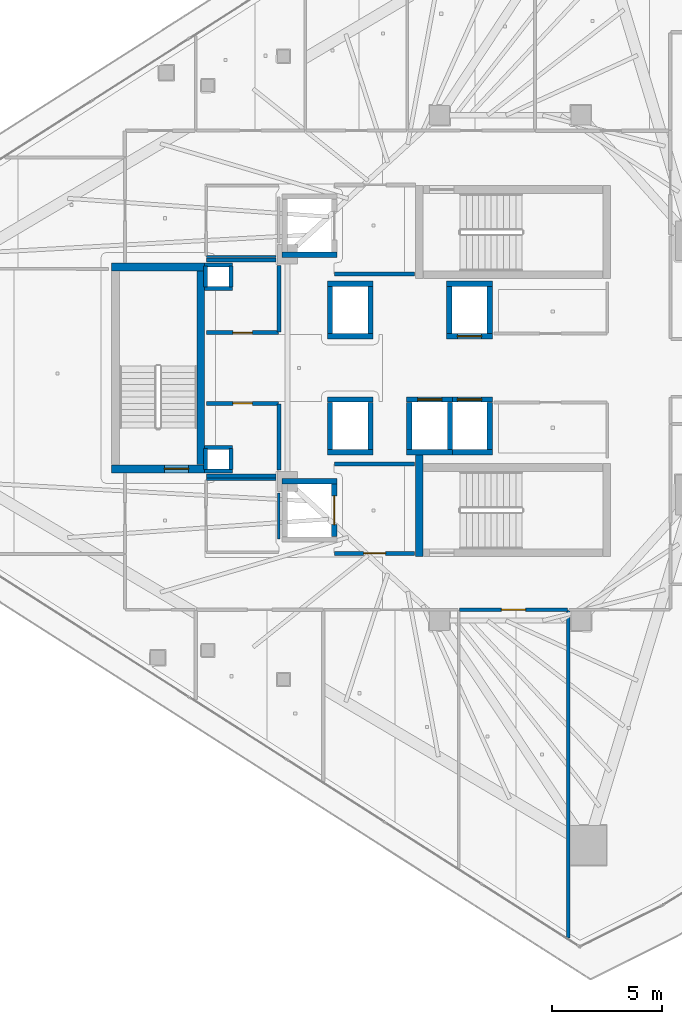
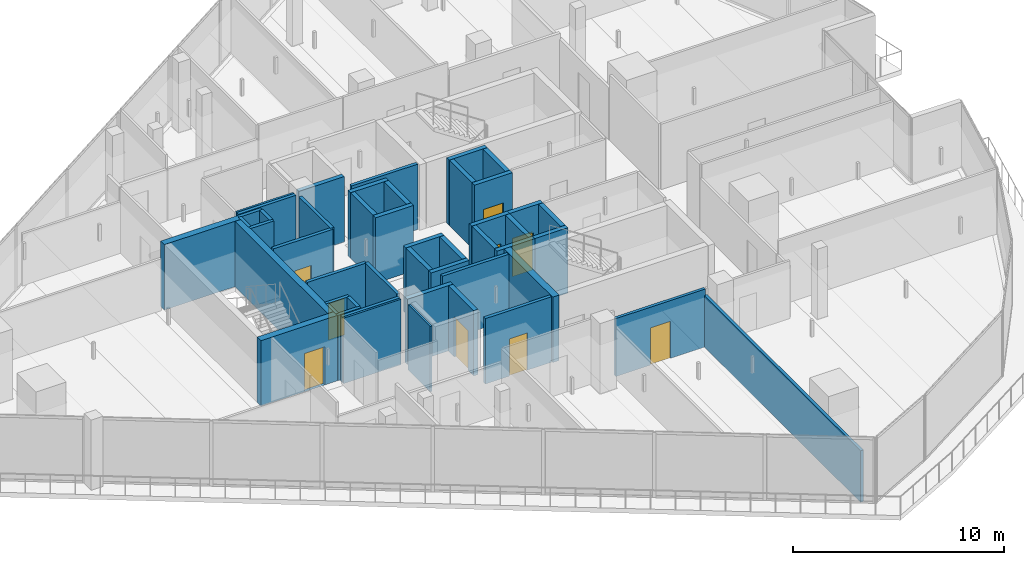
# One storey, part 23 of 33: 48 walls, 9 doors, 9 openings.
"""IFC4 building model written with IfcOpenShell, lengths in metres."""

from ifc_helpers import new_model, si_unit, direction, frame, frame_2d, origin, place, context, subcontext, project, spatial, rectangle, extrude, material, layer, layer_set, type_object, element, fill, save


model = new_model("IFC4")

# Units and contexts
model_context = context("Model", 3, precision=1e-05, world=origin(), true_north=direction((0.0, 1.0)))
body_context = subcontext(model_context, "Body", "Model", "MODEL_VIEW")
ifc_project = project(units=[si_unit("LENGTHUNIT", "METRE"), si_unit("AREAUNIT", "SQUARE_METRE"), si_unit("VOLUMEUNIT", "CUBIC_METRE"), si_unit("PLANEANGLEUNIT", "RADIAN"), si_unit("MASSUNIT", "GRAM", prefix="KILO")], contexts=[model_context])

# Site, building, storey
site_placement = place(None, origin())
site = spatial("IfcSite", under=ifc_project, at=site_placement, CompositionType="ELEMENT")
building_placement = place(site_placement, origin())
building = spatial("IfcBuilding", under=site, at=building_placement, Name="Qorvath Tower", CompositionType="ELEMENT")
storey_placement = place(building_placement, frame((0.0, 0.0, 237.449951171875)))
storey = spatial("IfcBuildingStorey", under=building, at=storey_placement, Name="L55", CompositionType="ELEMENT", Elevation=237.449951171875)

# Walls
ifc_material_1 = material(Name="Gypsum shaftliner on steel studs", Category="steel")
ifc_layer_1 = layer(ifc_material_1, 0.179931640625)
ifc_layer_set_1 = layer_set([ifc_layer_1], Name="FW-LOBBY")
wall_type_1 = type_object("IfcWallType", Name="FW-LOBBY", PredefinedType="PARTITIONING", material=ifc_layer_set_1)
for number, where, z_axis, x_axis, name in (
    (1, (-32.989990234375, 3.594970703125, 0.0), (0.0, 0.0, 1.0), (-1.0, 0.0, 0.0), "MEP Riser Shaft Enclosure Wall N-L55-S"),
    (2, (-34.260009765625, 4.675048828125, 0.0), (0.0, 0.0, 1.0), (1.0, 0.0, 0.0), "MEP Riser Shaft Enclosure Wall N-L55-N"),
):
    element("IfcWall", number, at=place(storey_placement, frame(where, z_axis=z_axis, x_axis=x_axis)), inside=storey, type_object=wall_type_1, Name=name, PredefinedType="PARTITIONING", context=body_context, shape_type="SweptSolid", body=[
        extrude(rectangle(XDim=1.27001953125, YDim=0.179931640625, at=frame_2d((0.635009765625, 0.0))), origin(), (0.0, 0.0, 1.0), 3.780029296875),
    ])
for number, where, z_axis, x_axis, name in (
    (3, (-34.205078125, 3.659912109375, 0.0), (0.0, 0.0, 1.0), (0.0, 1.0, 0.0), "MEP Riser Shaft Enclosure Wall N-L55-W"),
    (4, (-33.044921875, 4.610107421875, 0.0), (0.0, 0.0, 1.0), (0.0, -1.0, 0.0), "MEP Riser Shaft Enclosure Wall N-L55-E"),
):
    element("IfcWall", number, at=place(storey_placement, frame(where, z_axis=z_axis, x_axis=x_axis)), inside=storey, type_object=wall_type_1, Name=name, PredefinedType="PARTITIONING", context=body_context, shape_type="SweptSolid", body=[
        extrude(rectangle(XDim=0.9501953125, YDim=0.179931640625, at=frame_2d((0.47509765625, 0.0))), origin(), (0.0, 0.0, 1.0), 3.780029296875),
    ])
for number, where, z_axis, x_axis, name in (
    (5, (-32.989990234375, -4.675048828125, 0.0), (0.0, 0.0, 1.0), (-1.0, 0.0, 0.0), "MEP Riser Shaft Enclosure Wall S-L55-S"),
    (6, (-34.260009765625, -3.594970703125, 0.0), (0.0, 0.0, 1.0), (1.0, 0.0, 0.0), "MEP Riser Shaft Enclosure Wall S-L55-N"),
):
    element("IfcWall", number, at=place(storey_placement, frame(where, z_axis=z_axis, x_axis=x_axis)), inside=storey, type_object=wall_type_1, Name=name, PredefinedType="PARTITIONING", context=body_context, shape_type="SweptSolid", body=[
        extrude(rectangle(XDim=1.27001953125, YDim=0.179931640625, at=frame_2d((0.635009765625, 0.0))), origin(), (0.0, 0.0, 1.0), 3.780029296875),
    ])
for number, where, z_axis, x_axis, name in (
    (7, (-34.205078125, -4.610107421875, 0.0), (0.0, 0.0, 1.0), (0.0, 1.0, 0.0), "MEP Riser Shaft Enclosure Wall S-L55-W"),
    (8, (-33.044921875, -3.659912109375, 0.0), (0.0, 0.0, 1.0), (0.0, -1.0, 0.0), "MEP Riser Shaft Enclosure Wall S-L55-E"),
):
    element("IfcWall", number, at=place(storey_placement, frame(where, z_axis=z_axis, x_axis=x_axis)), inside=storey, type_object=wall_type_1, Name=name, PredefinedType="PARTITIONING", context=body_context, shape_type="SweptSolid", body=[
        extrude(rectangle(XDim=0.9501953125, YDim=0.179931640625, at=frame_2d((0.47509765625, 0.0))), origin(), (0.0, 0.0, 1.0), 3.780029296875),
    ])
wall_1_placement = place(storey_placement, frame((-28.35498046875, 4.25, 0.0), z_axis=(0.0, 0.0, 1.0), x_axis=(1.0, 0.0, 0.0)))
element("IfcWall", 9, at=wall_1_placement, inside=storey, type_object=wall_type_1, Name="Interior Partition IW-T1-L55-001", PredefinedType="PARTITIONING", context=body_context, shape_type="SweptSolid", body=[
    extrude(rectangle(XDim=3.6220703125, YDim=0.179931640625, at=frame_2d((1.81103515625, 0.0))), origin(), (0.0, 0.0, 1.0), 3.780029296875),
])

# Wall, opening, door
wall_2_placement = place(storey_placement, frame((-28.35498046875, -8.39990234375, 0.0), z_axis=(0.0, 0.0, 1.0), x_axis=(1.0, 0.0, 0.0)))
wall_2 = element("IfcWall", 10, at=wall_2_placement, inside=storey, type_object=wall_type_1, Name="Interior Partition IW-T1-L55-003", PredefinedType="PARTITIONING", context=body_context, shape_type="SweptSolid", body=[
    extrude(rectangle(XDim=3.6220703125, YDim=0.179931640625, at=frame_2d((1.81103515625, 0.0))), origin(), (0.0, 0.0, 1.0), 3.780029296875),
])
opening_1_placement = place(wall_2_placement, frame((1.31103515625, 0.0, 0.0)))
opening_1 = element("IfcOpeningElement", 11, at=opening_1_placement, cuts=wall_2, Name="Opening D-T1-L55-23", PredefinedType="OPENING", context=body_context, shape_type="SweptSolid", body=[
    extrude(rectangle(XDim=1.0, YDim=2.14990234375, at=frame_2d((0.5, 1.074951171875))), frame((0.0, 0.10009765625, 0.0), z_axis=(0.0, -1.0, 0.0), x_axis=(1.0, 0.0, 0.0)), (0.0, 0.0, 1.0), 0.199951171875),
])
ifc_material_2 = material(Name="Painted galvanised hollow metal", Category="steel")
door_type_1 = type_object("IfcDoorType", Name="FD-60", OperationType="NOTDEFINED", PredefinedType="DOOR", material=ifc_material_2)
door_1_placement = place(opening_1_placement, origin())
door_1 = element("IfcDoor", 12, at=door_1_placement, inside=storey, type_object=door_type_1, Name="Lobby Fire Service Elevator South Door D-T1-L55-23", OperationType="SINGLE_SWING_RIGHT", OverallHeight=2.14990234375, OverallWidth=1.0, PredefinedType="DOOR", context=body_context, shape_type="SweptSolid", body=[
    extrude(rectangle(XDim=1.0, YDim=2.14990234375, at=frame_2d((0.5, 1.074951171875))), frame((0.0, 0.02490234375, 0.0), z_axis=(0.0, -1.0, 0.0), x_axis=(1.0, 0.0, 0.0)), (0.0, 0.0, 1.0), 0.050048828125),
])
fill(opening_1, door_1)

# Wall
wall_3_placement = place(storey_placement, frame((-24.73291015625, -4.35009765625, 0.0), z_axis=(0.0, 0.0, 1.0), x_axis=(-1.0, 0.0, 0.0)))
element("IfcWall", 13, at=wall_3_placement, inside=storey, type_object=wall_type_1, Name="Interior Partition IW-T1-L55-004", PredefinedType="PARTITIONING", context=body_context, shape_type="SweptSolid", body=[
    extrude(rectangle(XDim=3.6220703125, YDim=0.179931640625, at=frame_2d((1.81103515625, 0.0))), origin(), (0.0, 0.0, 1.0), 3.780029296875),
])

# Wall, opening, door
wall_4_placement = place(storey_placement, frame((-34.15478515625, 1.60009765625, 0.0), z_axis=(0.0, 0.0, 1.0), x_axis=(1.0, 0.0, 0.0)))
wall_4 = element("IfcWall", 14, at=wall_4_placement, inside=storey, type_object=wall_type_1, Name="Interior Partition IW-T1-L55-017", PredefinedType="PARTITIONING", context=body_context, shape_type="SweptSolid", body=[
    extrude(rectangle(XDim=3.25, YDim=0.179931640625, at=frame_2d((1.625, 0.0))), origin(), (0.0, 0.0, 1.0), 3.780029296875),
])
opening_2_placement = place(wall_4_placement, frame((1.18505859375, 0.0, 0.0)))
opening_2 = element("IfcOpeningElement", 15, at=opening_2_placement, cuts=wall_4, Name="Opening D-T1-L55-05", PredefinedType="OPENING", context=body_context, shape_type="SweptSolid", body=[
    extrude(rectangle(XDim=0.8798828125, YDim=2.10009765625, at=frame_2d((0.43994140625, 1.050048828125))), frame((0.0, 0.10009765625, 0.0), z_axis=(0.0, -1.0, 0.0), x_axis=(1.0, 0.0, 0.0)), (0.0, 0.0, 1.0), 0.199951171875),
])
ifc_material_3 = material(Name="Painted galvanised hollow metal", Category="steel")
door_type_2 = type_object("IfcDoorType", Name="FD-60N", OperationType="NOTDEFINED", PredefinedType="DOOR", material=ifc_material_3)
door_2_placement = place(opening_2_placement, origin())
door_2 = element("IfcDoor", 16, at=door_2_placement, inside=storey, type_object=door_type_2, Name="Core cleaner and custodial room L55 Door D-T1-L55-05", OperationType="SINGLE_SWING_RIGHT", OverallHeight=2.10009765625, OverallWidth=0.8798828125, PredefinedType="DOOR", context=body_context, shape_type="SweptSolid", body=[
    extrude(rectangle(XDim=0.8798828125, YDim=2.10009765625, at=frame_2d((0.43994140625, 1.050048828125))), frame((0.0, 0.02490234375, 0.0), z_axis=(0.0, -1.0, 0.0), x_axis=(1.0, 0.0, 0.0)), (0.0, 0.0, 1.0), 0.050048828125),
])
fill(opening_2, door_2)

# Walls
wall_5_placement = place(storey_placement, frame((-30.8798828125, 1.625, 0.0), z_axis=(0.0, 0.0, 1.0), x_axis=(0.0, 1.0, 0.0)))
element("IfcWall", 17, at=wall_5_placement, inside=storey, type_object=wall_type_1, Name="Interior Partition IW-T1-L55-018", PredefinedType="PARTITIONING", context=body_context, shape_type="SweptSolid", body=[
    extrude(rectangle(XDim=3.010009765625, YDim=0.179931640625, at=frame_2d((1.5048828125, 0.0))), origin(), (0.0, 0.0, 1.0), 3.780029296875),
])
for number, where, z_axis, x_axis, name in (
    (18, (-31.014892578125, 4.89990234375, 0.0), (0.0, 0.0, 1.0), (-1.0, 0.0, 0.0), "Interior Partition IW-T1-L55-019"),
    (19, (-34.15478515625, -4.89990234375, 0.0), (0.0, 0.0, 1.0), (1.0, 0.0, 0.0), "Interior Partition IW-T1-L55-020"),
):
    element("IfcWall", number, at=place(storey_placement, frame(where, z_axis=z_axis, x_axis=x_axis)), inside=storey, type_object=wall_type_1, Name=name, PredefinedType="PARTITIONING", context=body_context, shape_type="SweptSolid", body=[
        extrude(rectangle(XDim=3.139892578125, YDim=0.179931640625, at=frame_2d((1.56982421875, 0.0))), origin(), (0.0, 0.0, 1.0), 3.780029296875),
    ])
wall_6_placement = place(storey_placement, frame((-30.8798828125, -4.635009765625, 0.0), z_axis=(0.0, 0.0, 1.0), x_axis=(0.0, 1.0, 0.0)))
element("IfcWall", 20, at=wall_6_placement, inside=storey, type_object=wall_type_1, Name="Interior Partition IW-T1-L55-021", PredefinedType="PARTITIONING", context=body_context, shape_type="SweptSolid", body=[
    extrude(rectangle(XDim=3.010009765625, YDim=0.179931640625, at=frame_2d((1.5048828125, 0.0))), origin(), (0.0, 0.0, 1.0), 3.780029296875),
])

# Wall, opening, door
wall_7_placement = place(storey_placement, frame((-30.90478515625, -1.60009765625, 0.0), z_axis=(0.0, 0.0, 1.0), x_axis=(-1.0, 0.0, 0.0)))
wall_7 = element("IfcWall", 21, at=wall_7_placement, inside=storey, type_object=wall_type_1, Name="Interior Partition IW-T1-L55-022", PredefinedType="PARTITIONING", context=body_context, shape_type="SweptSolid", body=[
    extrude(rectangle(XDim=3.25, YDim=0.179931640625, at=frame_2d((1.625, 0.0))), origin(), (0.0, 0.0, 1.0), 3.780029296875),
])
opening_3_placement = place(wall_7_placement, frame((1.18505859375, 0.0, 0.0)))
opening_3 = element("IfcOpeningElement", 22, at=opening_3_placement, cuts=wall_7, Name="Opening D-T1-L55-06", PredefinedType="OPENING", context=body_context, shape_type="SweptSolid", body=[
    extrude(rectangle(XDim=0.8798828125, YDim=2.10009765625, at=frame_2d((0.43994140625, 1.050048828125))), frame((0.0, 0.10009765625, 0.0), z_axis=(0.0, -1.0, 0.0), x_axis=(1.0, 0.0, 0.0)), (0.0, 0.0, 1.0), 0.199951171875),
])
door_3_placement = place(opening_3_placement, origin())
door_3 = element("IfcDoor", 23, at=door_3_placement, inside=storey, type_object=door_type_2, Name="Core electrical room L55 Door D-T1-L55-06", OperationType="SINGLE_SWING_LEFT", OverallHeight=2.10009765625, OverallWidth=0.8798828125, PredefinedType="DOOR", context=body_context, shape_type="SweptSolid", body=[
    extrude(rectangle(XDim=0.8798828125, YDim=2.10009765625, at=frame_2d((0.43994140625, 1.050048828125))), frame((0.0, 0.02490234375, 0.0), z_axis=(0.0, -1.0, 0.0), x_axis=(1.0, 0.0, 0.0)), (0.0, 0.0, 1.0), 0.050048828125),
])
fill(opening_3, door_3)

ifc_material_4 = material(Name="Double acoustic gypsum board on steel studs", Category="steel")
ifc_layer_2 = layer(ifc_material_4, 0.159912109375)
ifc_layer_set_2 = layer_set([ifc_layer_2], Name="IW-ACOUSTIC-160")
wall_type_2 = type_object("IfcWallType", Name="IW-ACOUSTIC-160", PredefinedType="PARTITIONING", material=ifc_layer_set_2)
wall_8_placement = place(storey_placement, frame((-17.79541015625, -10.9580078125, 0.0), z_axis=(0.0, 0.0, 1.0), x_axis=(-1.0, 0.0, 0.0)))
wall_8 = element("IfcWall", 24, at=wall_8_placement, inside=storey, type_object=wall_type_2, Name="Interior Partition IW-T1-L55-038", PredefinedType="PARTITIONING", context=body_context, shape_type="SweptSolid", body=[
    extrude(rectangle(XDim=4.904541015625, YDim=0.159912109375, at=frame_2d((2.4521484375, 0.0))), origin(), (0.0, 0.0, 1.0), 3.34423828125),
])
opening_4_placement = place(wall_8_placement, frame((1.90234375, 0.0, 0.0)))
opening_4 = element("IfcOpeningElement", 25, at=opening_4_placement, cuts=wall_8, Name="Opening D-T1-L55-13", PredefinedType="OPENING", context=body_context, shape_type="SweptSolid", body=[
    extrude(rectangle(XDim=1.10009765625, YDim=2.14990234375, at=frame_2d((0.550048828125, 1.074951171875))), frame((0.0, 0.08984375, 0.0), z_axis=(0.0, -1.0, 0.0), x_axis=(1.0, 0.0, 0.0)), (0.0, 0.0, 1.0), 0.179931640625),
])
ifc_material_5 = material(Name="Anodised aluminium acoustic framed glass", Category="aluminium")
door_type_3 = type_object("IfcDoorType", Name="D-03", OperationType="NOTDEFINED", PredefinedType="DOOR", material=ifc_material_5)
door_4_placement = place(opening_4_placement, origin())
door_4 = element("IfcDoor", 26, at=door_4_placement, inside=storey, type_object=door_type_3, Name="L55-07 Team Project Office Door D-T1-L55-13", OperationType="SINGLE_SWING_RIGHT", OverallHeight=2.14990234375, OverallWidth=1.10009765625, PredefinedType="DOOR", context=body_context, shape_type="SweptSolid", body=[
    extrude(rectangle(XDim=1.10009765625, YDim=2.14990234375, at=frame_2d((0.550048828125, 1.074951171875))), frame((0.0, 0.02490234375, 0.0), z_axis=(0.0, -1.0, 0.0), x_axis=(1.0, 0.0, 0.0)), (0.0, 0.0, 1.0), 0.050048828125),
])
fill(opening_4, door_4)

# Walls
wall_9_placement = place(storey_placement, frame((-17.770263671875, -25.8212890625, 0.0), z_axis=(0.0, 0.0, 1.0), x_axis=(0.0, 1.0, 0.0)))
element("IfcWall", 27, at=wall_9_placement, inside=storey, type_object=wall_type_2, Name="Interior Partition IW-T1-L55-039", PredefinedType="PARTITIONING", context=body_context, shape_type="SweptSolid", body=[
    extrude(rectangle(XDim=14.83837890625, YDim=0.159912109375, at=frame_2d((7.419189453125, 0.0))), origin(), (0.0, 0.0, 1.0), 2.97705078125),
])
ifc_material_6 = material(Name="Moisture-resistant cement board on metal studs", Category="gypsum")
ifc_layer_3 = layer(ifc_material_6, 0.110107421875)
ifc_layer_set_3 = layer_set([ifc_layer_3], Name="IW-WC-110")
wall_type_3 = type_object("IfcWallType", Name="IW-WC-110", PredefinedType="PARTITIONING", material=ifc_layer_set_3)
wall_10_placement = place(storey_placement, frame((-34.15478515625, 5.050048828125, 0.0), z_axis=(0.0, 0.0, 1.0), x_axis=(1.0, 0.0, 0.0)))
element("IfcWall", 28, at=wall_10_placement, inside=storey, type_object=wall_type_3, Name="Interior Partition IW-T1-L55-006", PredefinedType="PARTITIONING", context=body_context, shape_type="SweptSolid", body=[
    extrude(rectangle(XDim=3.139892578125, YDim=0.110107421875, at=frame_2d((1.56982421875, 0.0))), origin(), (0.0, 0.0, 1.0), 3.780029296875),
])
wall_11_placement = place(storey_placement, frame((-30.8798828125, -7.742919921875, 0.0), z_axis=(0.0, 0.0, 1.0), x_axis=(0.0, 1.0, 0.0)))
element("IfcWall", 29, at=wall_11_placement, inside=storey, type_object=wall_type_3, Name="Interior Partition IW-T1-L55-010", PredefinedType="PARTITIONING", context=body_context, shape_type="SweptSolid", body=[
    extrude(rectangle(XDim=2.077880859375, YDim=0.110107421875, at=frame_2d((1.0390625, 0.0))), origin(), (0.0, 0.0, 1.0), 3.780029296875),
])
wall_12_placement = place(storey_placement, frame((-31.014892578125, -5.050048828125, 0.0), z_axis=(0.0, 0.0, 1.0), x_axis=(-1.0, 0.0, 0.0)))
element("IfcWall", 30, at=wall_12_placement, inside=storey, type_object=wall_type_3, Name="Interior Partition IW-T1-L55-011", PredefinedType="PARTITIONING", context=body_context, shape_type="SweptSolid", body=[
    extrude(rectangle(XDim=3.139892578125, YDim=0.110107421875, at=frame_2d((1.56982421875, 0.0))), origin(), (0.0, 0.0, 1.0), 3.780029296875),
])
ifc_material_7 = material(Name="Concrete C60/75", Category="concrete")
ifc_layer_4 = layer(ifc_material_7, 0.260009765625)
ifc_layer_set_4 = layer_set([ifc_layer_4], Name="SW-SHAFT")
wall_type_4 = type_object("IfcWallType", Name="SW-SHAFT", PredefinedType="SHEAR", material=ifc_layer_set_4)
for number, where, z_axis, x_axis, name in (
    (31, (-28.260009765625, 5.1298828125, 0.0), (0.0, 0.0, 1.0), (-1.0, 0.0, 0.0), "Hoistway Wall FSAE-1 L55 S"),
    (32, (-30.739990234375, -5.1298828125, 0.0), (0.0, 0.0, 1.0), (1.0, 0.0, 0.0), "Hoistway Wall FSAE-2 L55 N"),
):
    element("IfcWall", number, at=place(storey_placement, frame(where, z_axis=z_axis, x_axis=x_axis)), inside=storey, type_object=wall_type_4, Name=name, PredefinedType="SHEAR", context=body_context, shape_type="SweptSolid", body=[
        extrude(rectangle(XDim=2.47998046875, YDim=0.239990234375, at=frame_2d((1.239990234375, 0.0))), origin(), (0.0, 0.0, 1.0), 3.780029296875),
    ])

# Wall, opening, door
wall_13_placement = place(storey_placement, frame((-28.3798828125, -5.261962890625, 0.0), z_axis=(0.0, 0.0, 1.0), x_axis=(0.0, -1.0, 0.0)))
wall_13 = element("IfcWall", 33, at=wall_13_placement, inside=storey, type_object=wall_type_4, Name="Hoistway Wall FSAE-2 L55 E", PredefinedType="SHEAR", context=body_context, shape_type="SweptSolid", body=[
    extrude(rectangle(XDim=2.3759765625, YDim=0.239990234375, at=frame_2d((1.18798828125, 0.0))), origin(), (0.0, 0.0, 1.0), 3.780029296875),
])
opening_5_placement = place(wall_13_placement, frame((0.5380859375, 0.0, 0.0)))
opening_5 = element("IfcOpeningElement", 34, at=opening_5_placement, cuts=wall_13, Name="Opening LD-FSAE-2-L55", PredefinedType="OPENING", context=body_context, shape_type="SweptSolid", body=[
    extrude(rectangle(XDim=1.300048828125, YDim=2.300048828125, at=frame_2d((0.64990234375, 1.14990234375))), frame((0.0, 0.1298828125, 0.0), z_axis=(0.0, -1.0, 0.0), x_axis=(1.0, 0.0, 0.0)), (0.0, 0.0, 1.0), 0.260009765625),
])
ifc_material_8 = material(Name="Brushed stainless steel AISI 316", Category="steel")
door_type_4 = type_object("IfcDoorType", Name="LD-02", OperationType="NOTDEFINED", PredefinedType="DOOR", material=ifc_material_8)
door_5_placement = place(opening_5_placement, origin())
door_5 = element("IfcDoor", 35, at=door_5_placement, inside=storey, type_object=door_type_4, Name="Elevator Landing Sliding Door LD-FSAE-2-L55", OperationType="DOUBLE_DOOR_SLIDING", OverallHeight=2.300048828125, OverallWidth=1.300048828125, PredefinedType="DOOR", context=body_context, shape_type="SweptSolid", body=[
    extrude(rectangle(XDim=1.300048828125, YDim=2.300048828125, at=frame_2d((0.64990234375, 1.14990234375))), frame((0.0, 0.02490234375, 0.0), z_axis=(0.0, -1.0, 0.0), x_axis=(1.0, 0.0, 0.0)), (0.0, 0.0, 1.0), 0.050048828125),
])
fill(opening_5, door_5)

# Walls
for number, where, z_axis, x_axis, name in (
    (36, (-26.610107421875, 1.429931640625, 0.0), (0.0, 0.0, 1.0), (-1.0, 0.0, 0.0), "Hoistway Wall PS-1 L55 S"),
    (37, (-28.68994140625, 3.820068359375, 0.0), (0.0, 0.0, 1.0), (1.0, 0.0, 0.0), "Hoistway Wall PS-1 L55 N"),
):
    element("IfcWall", number, at=place(storey_placement, frame(where, z_axis=z_axis, x_axis=x_axis)), inside=storey, type_object=wall_type_4, Name=name, PredefinedType="SHEAR", context=body_context, shape_type="SweptSolid", body=[
        extrude(rectangle(XDim=2.079833984375, YDim=0.239990234375, at=frame_2d((1.0400390625, 0.0))), origin(), (0.0, 0.0, 1.0), 3.780029296875),
    ])
for number, where, z_axis, x_axis, name in (
    (38, (-28.570068359375, 1.56201171875, 0.0), (0.0, 0.0, 1.0), (0.0, 1.0, 0.0), "Hoistway Wall PS-1 L55 W"),
    (39, (-26.72998046875, 3.68798828125, 0.0), (0.0, 0.0, 1.0), (0.0, -1.0, 0.0), "Hoistway Wall PS-1 L55 E"),
):
    element("IfcWall", number, at=place(storey_placement, frame(where, z_axis=z_axis, x_axis=x_axis)), inside=storey, type_object=wall_type_4, Name=name, PredefinedType="SHEAR", context=body_context, shape_type="SweptSolid", body=[
        extrude(rectangle(XDim=2.1259765625, YDim=0.239990234375, at=frame_2d((1.06298828125, 0.0))), origin(), (0.0, 0.0, 1.0), 3.780029296875),
    ])

# Wall, opening, door
wall_14_placement = place(storey_placement, frame((-21.2099609375, 1.429931640625, 0.0), z_axis=(0.0, 0.0, 1.0), x_axis=(-1.0, 0.0, 0.0)))
wall_14 = element("IfcWall", 40, at=wall_14_placement, inside=storey, type_object=wall_type_4, Name="Hoistway Wall PU-1 L55 S", PredefinedType="SHEAR", context=body_context, shape_type="SweptSolid", body=[
    extrude(rectangle(XDim=2.080078125, YDim=0.239990234375, at=frame_2d((1.0400390625, 0.0))), origin(), (0.0, 0.0, 1.0), 3.780029296875),
])
opening_6_placement = place(wall_14_placement, frame((0.489990234375, 0.0, 0.0)))
opening_6 = element("IfcOpeningElement", 41, at=opening_6_placement, cuts=wall_14, Name="Opening LD-PU-1-L55", PredefinedType="OPENING", context=body_context, shape_type="SweptSolid", body=[
    extrude(rectangle(XDim=1.10009765625, YDim=2.199951171875, at=frame_2d((0.550048828125, 1.10009765625))), frame((0.0, 0.1298828125, 0.0), z_axis=(0.0, -1.0, 0.0), x_axis=(1.0, 0.0, 0.0)), (0.0, 0.0, 1.0), 0.260009765625),
])
ifc_material_9 = material(Name="Brushed stainless steel AISI 316", Category="steel")
door_type_5 = type_object("IfcDoorType", Name="LD-01", OperationType="NOTDEFINED", PredefinedType="DOOR", material=ifc_material_9)
door_6_placement = place(opening_6_placement, origin())
door_6 = element("IfcDoor", 42, at=door_6_placement, inside=storey, type_object=door_type_5, Name="Elevator Landing Sliding Door LD-PU-1-L55", OperationType="DOUBLE_DOOR_SLIDING", OverallHeight=2.199951171875, OverallWidth=1.10009765625, PredefinedType="DOOR", context=body_context, shape_type="SweptSolid", body=[
    extrude(rectangle(XDim=1.10009765625, YDim=2.199951171875, at=frame_2d((0.550048828125, 1.10009765625))), frame((0.0, 0.02490234375, 0.0), z_axis=(0.0, -1.0, 0.0), x_axis=(1.0, 0.0, 0.0)), (0.0, 0.0, 1.0), 0.050048828125),
])
fill(opening_6, door_6)

# Walls
wall_15_placement = place(storey_placement, frame((-23.2900390625, 3.820068359375, 0.0), z_axis=(0.0, 0.0, 1.0), x_axis=(1.0, 0.0, 0.0)))
element("IfcWall", 43, at=wall_15_placement, inside=storey, type_object=wall_type_4, Name="Hoistway Wall PU-1 L55 N", PredefinedType="SHEAR", context=body_context, shape_type="SweptSolid", body=[
    extrude(rectangle(XDim=2.080078125, YDim=0.239990234375, at=frame_2d((1.0400390625, 0.0))), origin(), (0.0, 0.0, 1.0), 3.780029296875),
])
for number, where, z_axis, x_axis, name in (
    (44, (-23.169921875, 1.56201171875, 0.0), (0.0, 0.0, 1.0), (0.0, 1.0, 0.0), "Hoistway Wall PU-1 L55 W"),
    (45, (-21.330078125, 3.68798828125, 0.0), (0.0, 0.0, 1.0), (0.0, -1.0, 0.0), "Hoistway Wall PU-1 L55 E"),
):
    element("IfcWall", number, at=place(storey_placement, frame(where, z_axis=z_axis, x_axis=x_axis)), inside=storey, type_object=wall_type_4, Name=name, PredefinedType="SHEAR", context=body_context, shape_type="SweptSolid", body=[
        extrude(rectangle(XDim=2.1259765625, YDim=0.239990234375, at=frame_2d((1.06298828125, 0.0))), origin(), (0.0, 0.0, 1.0), 3.780029296875),
    ])
for number, where, z_axis, x_axis, name in (
    (46, (-26.610107421875, -3.820068359375, 0.0), (0.0, 0.0, 1.0), (-1.0, 0.0, 0.0), "Hoistway Wall PS-2 L55 S"),
    (47, (-28.68994140625, -1.429931640625, 0.0), (0.0, 0.0, 1.0), (1.0, 0.0, 0.0), "Hoistway Wall PS-2 L55 N"),
):
    element("IfcWall", number, at=place(storey_placement, frame(where, z_axis=z_axis, x_axis=x_axis)), inside=storey, type_object=wall_type_4, Name=name, PredefinedType="SHEAR", context=body_context, shape_type="SweptSolid", body=[
        extrude(rectangle(XDim=2.079833984375, YDim=0.239990234375, at=frame_2d((1.0400390625, 0.0))), origin(), (0.0, 0.0, 1.0), 3.780029296875),
    ])
for number, where, z_axis, x_axis, name in (
    (48, (-28.570068359375, -3.68798828125, 0.0), (0.0, 0.0, 1.0), (0.0, 1.0, 0.0), "Hoistway Wall PS-2 L55 W"),
    (49, (-26.72998046875, -1.56201171875, 0.0), (0.0, 0.0, 1.0), (0.0, -1.0, 0.0), "Hoistway Wall PS-2 L55 E"),
):
    element("IfcWall", number, at=place(storey_placement, frame(where, z_axis=z_axis, x_axis=x_axis)), inside=storey, type_object=wall_type_4, Name=name, PredefinedType="SHEAR", context=body_context, shape_type="SweptSolid", body=[
        extrude(rectangle(XDim=2.1259765625, YDim=0.239990234375, at=frame_2d((1.06298828125, 0.0))), origin(), (0.0, 0.0, 1.0), 3.780029296875),
    ])
wall_16_placement = place(storey_placement, frame((-23.010009765625, -3.820068359375, 0.0), z_axis=(0.0, 0.0, 1.0), x_axis=(-1.0, 0.0, 0.0)))
element("IfcWall", 50, at=wall_16_placement, inside=storey, type_object=wall_type_4, Name="Hoistway Wall PU-2 L55 S", PredefinedType="SHEAR", context=body_context, shape_type="SweptSolid", body=[
    extrude(rectangle(XDim=2.080078125, YDim=0.239990234375, at=frame_2d((1.0400390625, 0.0))), origin(), (0.0, 0.0, 1.0), 3.780029296875),
])

# Wall, opening, door
wall_17_placement = place(storey_placement, frame((-25.090087890625, -1.429931640625, 0.0), z_axis=(0.0, 0.0, 1.0), x_axis=(1.0, 0.0, 0.0)))
wall_17 = element("IfcWall", 51, at=wall_17_placement, inside=storey, type_object=wall_type_4, Name="Hoistway Wall PU-2 L55 N", PredefinedType="SHEAR", context=body_context, shape_type="SweptSolid", body=[
    extrude(rectangle(XDim=2.080078125, YDim=0.239990234375, at=frame_2d((1.0400390625, 0.0))), origin(), (0.0, 0.0, 1.0), 3.780029296875),
])
opening_7_placement = place(wall_17_placement, frame((0.489990234375, 0.0, 0.0)))
opening_7 = element("IfcOpeningElement", 52, at=opening_7_placement, cuts=wall_17, Name="Opening LD-PU-2-L55", PredefinedType="OPENING", context=body_context, shape_type="SweptSolid", body=[
    extrude(rectangle(XDim=1.10009765625, YDim=2.199951171875, at=frame_2d((0.550048828125, 1.10009765625))), frame((0.0, 0.1298828125, 0.0), z_axis=(0.0, -1.0, 0.0), x_axis=(1.0, 0.0, 0.0)), (0.0, 0.0, 1.0), 0.260009765625),
])
door_7_placement = place(opening_7_placement, origin())
door_7 = element("IfcDoor", 53, at=door_7_placement, inside=storey, type_object=door_type_5, Name="Elevator Landing Sliding Door LD-PU-2-L55", OperationType="DOUBLE_DOOR_SLIDING", OverallHeight=2.199951171875, OverallWidth=1.10009765625, PredefinedType="DOOR", context=body_context, shape_type="SweptSolid", body=[
    extrude(rectangle(XDim=1.10009765625, YDim=2.199951171875, at=frame_2d((0.550048828125, 1.10009765625))), frame((0.0, 0.02490234375, 0.0), z_axis=(0.0, -1.0, 0.0), x_axis=(1.0, 0.0, 0.0)), (0.0, 0.0, 1.0), 0.050048828125),
])
fill(opening_7, door_7)

# Walls
for number, where, z_axis, x_axis, name in (
    (54, (-24.969970703125, -3.68798828125, 0.0), (0.0, 0.0, 1.0), (0.0, 1.0, 0.0), "Hoistway Wall PU-2 L55 W"),
    (55, (-23.1298828125, -1.56201171875, 0.0), (0.0, 0.0, 1.0), (0.0, -1.0, 0.0), "Hoistway Wall PU-2 L55 E"),
):
    element("IfcWall", number, at=place(storey_placement, frame(where, z_axis=z_axis, x_axis=x_axis)), inside=storey, type_object=wall_type_4, Name=name, PredefinedType="SHEAR", context=body_context, shape_type="SweptSolid", body=[
        extrude(rectangle(XDim=2.1259765625, YDim=0.239990234375, at=frame_2d((1.06298828125, 0.0))), origin(), (0.0, 0.0, 1.0), 3.780029296875),
    ])
wall_18_placement = place(storey_placement, frame((-21.2099609375, -3.820068359375, 0.0), z_axis=(0.0, 0.0, 1.0), x_axis=(-1.0, 0.0, 0.0)))
element("IfcWall", 56, at=wall_18_placement, inside=storey, type_object=wall_type_4, Name="Hoistway Wall PU-3 L55 S", PredefinedType="SHEAR", context=body_context, shape_type="SweptSolid", body=[
    extrude(rectangle(XDim=1.800048828125, YDim=0.239990234375, at=frame_2d((0.89990234375, 0.0))), origin(), (0.0, 0.0, 1.0), 3.780029296875),
])

# Wall, opening, door
wall_19_placement = place(storey_placement, frame((-23.010009765625, -1.429931640625, 0.0), z_axis=(0.0, 0.0, 1.0), x_axis=(1.0, 0.0, 0.0)))
wall_19 = element("IfcWall", 57, at=wall_19_placement, inside=storey, type_object=wall_type_4, Name="Hoistway Wall PU-3 L55 N", PredefinedType="SHEAR", context=body_context, shape_type="SweptSolid", body=[
    extrude(rectangle(XDim=1.800048828125, YDim=0.239990234375, at=frame_2d((0.89990234375, 0.0))), origin(), (0.0, 0.0, 1.0), 3.780029296875),
])
opening_8_placement = place(wall_19_placement, frame((0.2099609375, 0.0, 0.0)))
opening_8 = element("IfcOpeningElement", 58, at=opening_8_placement, cuts=wall_19, Name="Opening LD-PU-3-L55", PredefinedType="OPENING", context=body_context, shape_type="SweptSolid", body=[
    extrude(rectangle(XDim=1.10009765625, YDim=2.199951171875, at=frame_2d((0.550048828125, 1.10009765625))), frame((0.0, 0.1298828125, 0.0), z_axis=(0.0, -1.0, 0.0), x_axis=(1.0, 0.0, 0.0)), (0.0, 0.0, 1.0), 0.260009765625),
])
door_8_placement = place(opening_8_placement, origin())
door_8 = element("IfcDoor", 59, at=door_8_placement, inside=storey, type_object=door_type_5, Name="Elevator Landing Sliding Door LD-PU-3-L55", OperationType="DOUBLE_DOOR_SLIDING", OverallHeight=2.199951171875, OverallWidth=1.10009765625, PredefinedType="DOOR", context=body_context, shape_type="SweptSolid", body=[
    extrude(rectangle(XDim=1.10009765625, YDim=2.199951171875, at=frame_2d((0.550048828125, 1.10009765625))), frame((0.0, 0.02490234375, 0.0), z_axis=(0.0, -1.0, 0.0), x_axis=(1.0, 0.0, 0.0)), (0.0, 0.0, 1.0), 0.050048828125),
])
fill(opening_8, door_8)

# Walls
wall_20_placement = place(storey_placement, frame((-21.330078125, -1.56201171875, 0.0), z_axis=(0.0, 0.0, 1.0), x_axis=(0.0, -1.0, 0.0)))
element("IfcWall", 60, at=wall_20_placement, inside=storey, type_object=wall_type_4, Name="Hoistway Wall PU-3 L55 E", PredefinedType="SHEAR", context=body_context, shape_type="SweptSolid", body=[
    extrude(rectangle(XDim=2.1259765625, YDim=0.239990234375, at=frame_2d((1.06298828125, 0.0))), origin(), (0.0, 0.0, 1.0), 3.780029296875),
])
ifc_material_10 = material(Name="Concrete C60/75", Category="concrete")
ifc_layer_5 = layer(ifc_material_10, 0.35009765625)
ifc_layer_set_5 = layer_set([ifc_layer_5], Name="SW-STAIR")
wall_type_5 = type_object("IfcWallType", Name="SW-STAIR", PredefinedType="SHEAR", material=ifc_layer_set_5)
wall_21_placement = place(storey_placement, frame((-24.52490234375, -3.93994140625, 0.0), z_axis=(0.0, 0.0, 1.0), x_axis=(0.0, -1.0, 0.0)))
element("IfcWall", 61, at=wall_21_placement, inside=storey, type_object=wall_type_5, Name="Stair TS2 Shear Wall L55 NEAR", PredefinedType="SHEAR", context=body_context, shape_type="SweptSolid", body=[
    extrude(rectangle(XDim=4.610107421875, YDim=0.35009765625, at=frame_2d((2.30517578125, 0.0))), origin(), (0.0, 0.0, 1.0), 3.780029296875),
])

# Wall, opening, door
wall_22_placement = place(storey_placement, frame((-38.4599609375, -4.574951171875, 0.0), z_axis=(0.0, 0.0, 1.0), x_axis=(1.0, 0.0, 0.0)))
wall_22 = element("IfcWall", 62, at=wall_22_placement, inside=storey, type_object=wall_type_5, Name="Stair TS3 Shear Wall L55 NEAR", PredefinedType="SHEAR", context=body_context, shape_type="SweptSolid", body=[
    extrude(rectangle(XDim=4.2099609375, YDim=0.35009765625, at=frame_2d((2.10498046875, 0.0))), origin(), (0.0, 0.0, 1.0), 3.780029296875),
])
opening_9_placement = place(wall_22_placement, frame((2.389892578125, 0.0, 0.0)))
opening_9 = element("IfcOpeningElement", 63, at=opening_9_placement, cuts=wall_22, Name="Opening D-TS3-L55", PredefinedType="OPENING", context=body_context, shape_type="SweptSolid", body=[
    extrude(rectangle(XDim=1.10009765625, YDim=2.199951171875, at=frame_2d((0.550048828125, 1.10009765625))), frame((0.0, 0.18505859375, 0.0), z_axis=(0.0, -1.0, 0.0), x_axis=(1.0, 0.0, 0.0)), (0.0, 0.0, 1.0), 0.3701171875),
])
ifc_material_11 = material(Name="Painted galvanised hollow metal", Category="steel")
door_type_6 = type_object("IfcDoorType", Name="FD-90", OperationType="NOTDEFINED", PredefinedType="DOOR", material=ifc_material_11)
door_9_placement = place(opening_9_placement, origin())
door_9 = element("IfcDoor", 64, at=door_9_placement, inside=storey, type_object=door_type_6, Name="Stair TS3 Fire Door L55", OperationType="SINGLE_SWING_RIGHT", OverallHeight=2.199951171875, OverallWidth=1.10009765625, PredefinedType="DOOR", context=body_context, shape_type="SweptSolid", body=[
    extrude(rectangle(XDim=1.10009765625, YDim=2.199951171875, at=frame_2d((0.550048828125, 1.10009765625))), frame((0.0, 0.02490234375, 0.0), z_axis=(0.0, -1.0, 0.0), x_axis=(1.0, 0.0, 0.0)), (0.0, 0.0, 1.0), 0.050048828125),
])
fill(opening_9, door_9)

# Walls
wall_23_placement = place(storey_placement, frame((-34.25, 4.574951171875, 0.0), z_axis=(0.0, 0.0, 1.0), x_axis=(-1.0, 0.0, 0.0)))
element("IfcWall", 65, at=wall_23_placement, inside=storey, type_object=wall_type_5, Name="Stair TS3 Shear Wall L55 FAR", PredefinedType="SHEAR", context=body_context, shape_type="SweptSolid", body=[
    extrude(rectangle(XDim=4.2099609375, YDim=0.35009765625, at=frame_2d((2.10498046875, 0.0))), origin(), (0.0, 0.0, 1.0), 3.780029296875),
])
wall_24_placement = place(storey_placement, frame((-34.425048828125, -4.385009765625, 0.0), z_axis=(0.0, 0.0, 1.0), x_axis=(0.0, 1.0, 0.0)))
element("IfcWall", 66, at=wall_24_placement, inside=storey, type_object=wall_type_5, Name="Stair TS3 Shear Wall L55 LEFT", PredefinedType="SHEAR", context=body_context, shape_type="SweptSolid", body=[
    extrude(rectangle(XDim=8.77001953125, YDim=0.35009765625, at=frame_2d((4.385009765625, 0.0))), origin(), (0.0, 0.0, 1.0), 3.780029296875),
])

save(model, "model.ifc")
